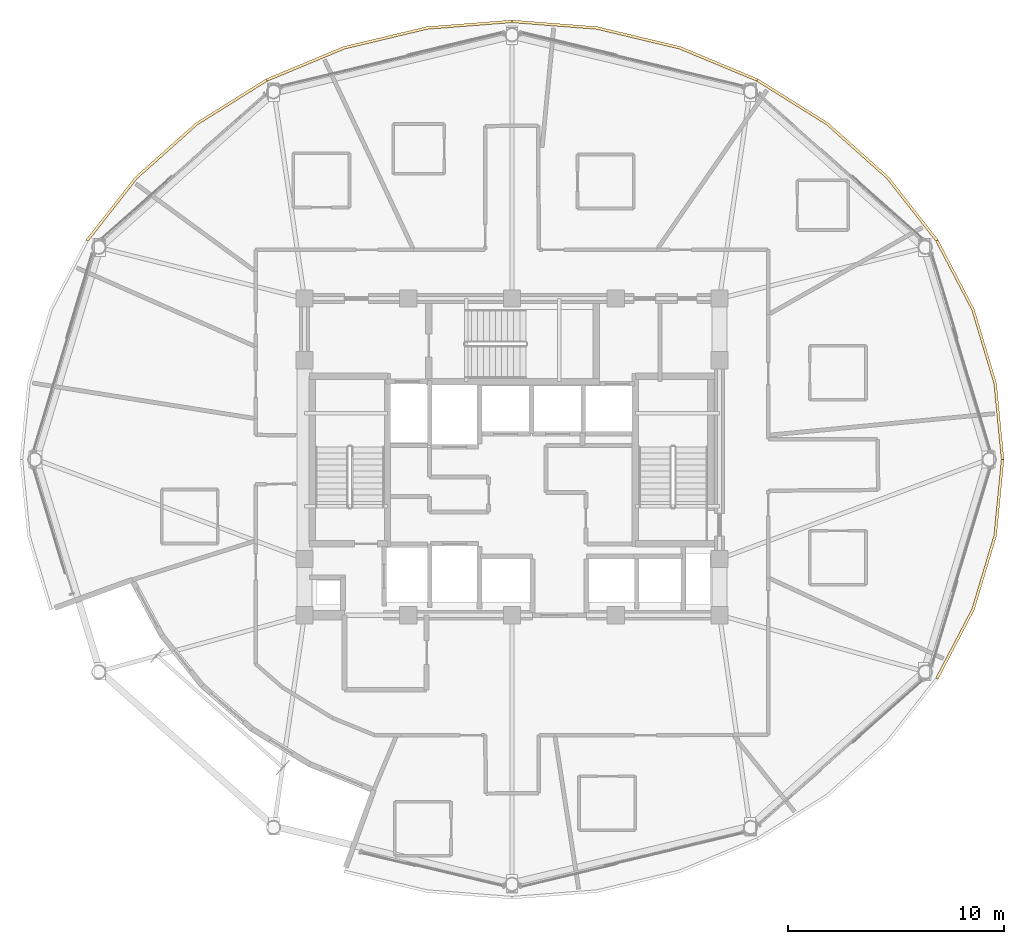
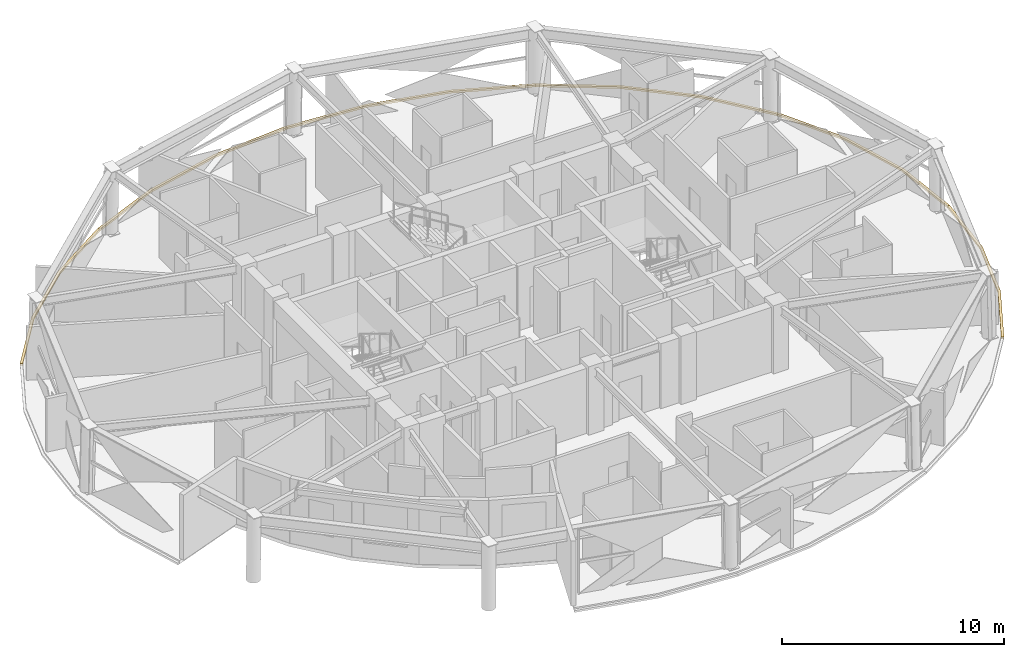
# One storey, part 18 of 18: 6 coverings.
"""IFC4 building model written with IfcOpenShell, lengths in metres."""

from ifc_helpers import new_model, si_unit, direction, frame, origin, place, context, subcontext, project, spatial, polyline, outline, extrude, material, layer, layer_set, type_object, element, save


model = new_model("IFC4")

# Units and contexts
model_context = context("Model", 3, precision=1e-05, world=origin(), true_north=direction((0.0, 1.0)))
body_context = subcontext(model_context, "Body", "Model", "MODEL_VIEW")
ifc_project = project(units=[si_unit("LENGTHUNIT", "METRE"), si_unit("AREAUNIT", "SQUARE_METRE"), si_unit("VOLUMEUNIT", "CUBIC_METRE"), si_unit("PLANEANGLEUNIT", "RADIAN"), si_unit("MASSUNIT", "GRAM", prefix="KILO")], contexts=[model_context])

# Site, building, storey
site_placement = place(None, origin())
site = spatial("IfcSite", under=ifc_project, at=site_placement, CompositionType="ELEMENT")
building_placement = place(site_placement, origin())
building = spatial("IfcBuilding", under=site, at=building_placement, Name="Vantalir Tower", CompositionType="ELEMENT")
storey_placement = place(building_placement, frame((0.0, 0.0, 216.14990234375)))
storey = spatial("IfcBuildingStorey", under=building, at=storey_placement, Name="L54", CompositionType="ELEMENT", Elevation=216.14990234375)

# Coverings
ifc_material = material(Name="Anodised champagne aluminium sill fascia", Category="aluminium")
ifc_layer = layer(ifc_material, 0.125)
ifc_layer_set = layer_set([ifc_layer], Name="Anodised champagne aluminium sill fascia")
covering_type = type_object("IfcCoveringType", Name="COV-SLAB-FASCIA-125", PredefinedType="CLADDING", material=ifc_layer_set)
covering_1_placement = place(storey_placement, frame((0.0, 0.0, -0.179931640625)))
element("IfcCovering", 1, at=covering_1_placement, inside=storey, type_object=covering_type, Name="L54 Perimeter Slab-Edge Sill Fascia 01", PredefinedType="CLADDING", context=body_context, shape_type="SweptSolid", body=[
    extrude(outline(polyline([(54.261962890625, 25.0), (53.916015625, 28.531005859375), (52.888916015625, 31.955078125), (51.2119140625, 35.16796875), (51.10400390625, 35.10498046875), (52.77197265625, 31.9130859375), (53.79296875, 28.510009765625), (54.136962890625, 25.0), (54.261962890625, 25.0)])), origin(), (0.0, 0.0, 1.0), 0.10498046875),
])
covering_2_placement = place(storey_placement, frame((0.0, 0.0, -0.179931640625)))
element("IfcCovering", 2, at=covering_2_placement, inside=storey, type_object=covering_type, Name="L54 Perimeter Slab-Edge Sill Fascia 02", PredefinedType="CLADDING", context=body_context, shape_type="SweptSolid", body=[
    extrude(outline(polyline([(51.2119140625, 35.16796875), (48.93701171875, 38.072021484375), (46.131103515625, 40.577880859375), (42.881103515625, 42.611083984375), (42.819091796875, 42.5029296875), (46.051025390625, 40.48291015625), (48.841064453125, 37.990966796875), (51.10400390625, 35.10498046875), (51.2119140625, 35.16796875)])), origin(), (0.0, 0.0, 1.0), 0.10498046875),
])
covering_3_placement = place(storey_placement, frame((0.0, 0.0, -0.179931640625)))
element("IfcCovering", 3, at=covering_3_placement, inside=storey, type_object=covering_type, Name="L54 Perimeter Slab-Edge Sill Fascia 03", PredefinedType="CLADDING", context=body_context, shape_type="SweptSolid", body=[
    extrude(outline(polyline([(42.881103515625, 42.611083984375), (39.284912109375, 44.110107421875), (35.452880859375, 45.027099609375), (31.5, 45.3359375), (31.5, 45.2109375), (35.430908203125, 44.904052734375), (39.241943359375, 43.991943359375), (42.819091796875, 42.5029296875), (42.881103515625, 42.611083984375)])), origin(), (0.0, 0.0, 1.0), 0.10498046875),
])
covering_4_placement = place(storey_placement, frame((0.0, 0.0, -0.179931640625)))
element("IfcCovering", 4, at=covering_4_placement, inside=storey, type_object=covering_type, Name="L54 Perimeter Slab-Edge Sill Fascia 04", PredefinedType="CLADDING", context=body_context, shape_type="SweptSolid", body=[
    extrude(outline(polyline([(31.5, 45.3359375), (27.547119140625, 45.027099609375), (23.715087890625, 44.110107421875), (20.118896484375, 42.611083984375), (20.181884765625, 42.5029296875), (23.758056640625, 43.991943359375), (27.569091796875, 44.904052734375), (31.5, 45.2109375), (31.5, 45.3359375)])), origin(), (0.0, 0.0, 1.0), 0.10498046875),
])
covering_5_placement = place(storey_placement, frame((0.0, 0.0, -0.179931640625)))
element("IfcCovering", 5, at=covering_5_placement, inside=storey, type_object=covering_type, Name="L54 Perimeter Slab-Edge Sill Fascia 05", PredefinedType="CLADDING", context=body_context, shape_type="SweptSolid", body=[
    extrude(outline(polyline([(20.118896484375, 42.611083984375), (16.868896484375, 40.577880859375), (14.06298828125, 38.072021484375), (11.7880859375, 35.16796875), (11.89599609375, 35.10498046875), (14.158935546875, 37.990966796875), (16.948974609375, 40.48291015625), (20.181884765625, 42.5029296875), (20.118896484375, 42.611083984375)])), origin(), (0.0, 0.0, 1.0), 0.10498046875),
])
covering_6_placement = place(storey_placement, frame((0.0, 0.0, -0.179931640625)))
element("IfcCovering", 6, at=covering_6_placement, inside=storey, type_object=covering_type, Name="L54 Perimeter Slab-Edge Sill Fascia 12", PredefinedType="CLADDING", context=body_context, shape_type="SweptSolid", body=[
    extrude(outline(polyline([(51.2119140625, 14.83203125), (52.888916015625, 18.044921875), (53.916015625, 21.468994140625), (54.261962890625, 25.0), (54.136962890625, 25.0), (53.79296875, 21.489990234375), (52.77197265625, 18.0869140625), (51.10400390625, 14.89404296875), (51.2119140625, 14.83203125)])), origin(), (0.0, 0.0, 1.0), 0.10498046875),
])

save(model, "model.ifc")
